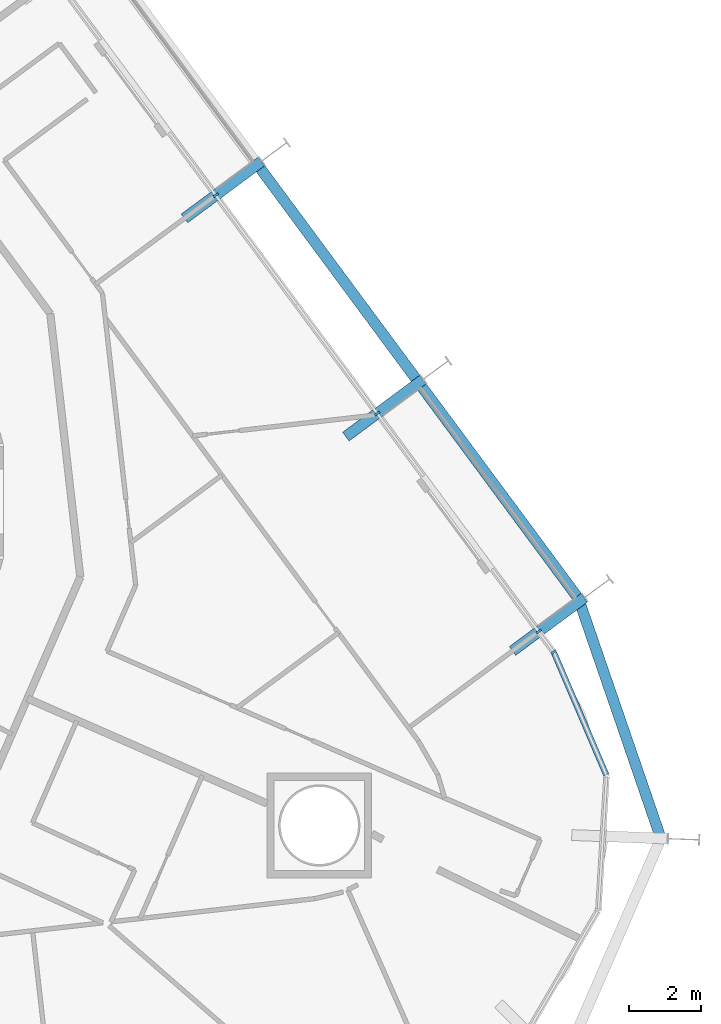
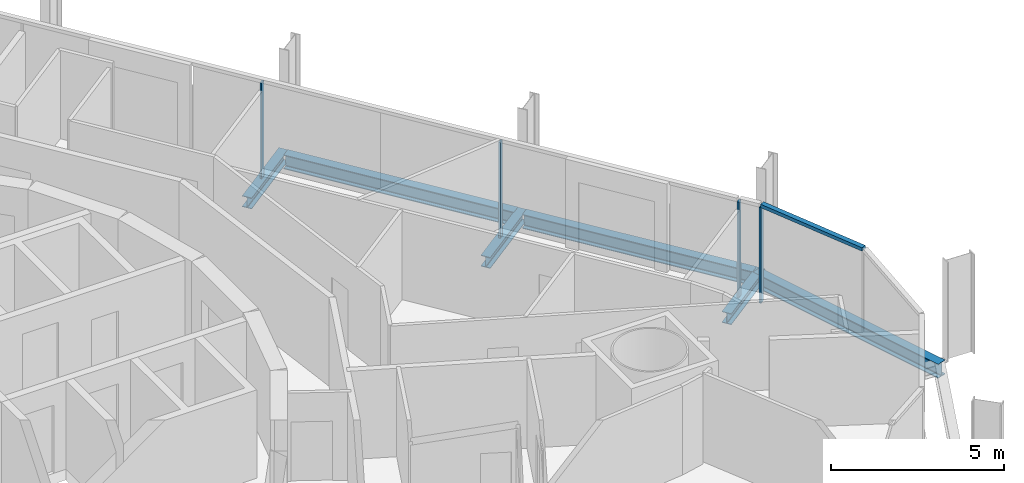
# One storey, part 8 of 22: 6 beams, 5 members, 2 elements without a shape of their own.
"""IFC4 building model written with IfcOpenShell, lengths in metres."""

from ifc_helpers import new_model, si_unit, direction, frame, origin, origin_2d, place, context, subcontext, project, spatial, rectangle, i_section, extrude, material, layer, layer_set, material_profile, profile_set, type_object, element, aggregate, save


model = new_model("IFC4")

# Units and contexts
model_context = context("Model", 3, precision=1e-05, world=origin(), true_north=direction((0.0, 1.0)))
body_context = subcontext(model_context, "Body", "Model", "MODEL_VIEW")
ifc_project = project(units=[si_unit("LENGTHUNIT", "METRE"), si_unit("AREAUNIT", "SQUARE_METRE"), si_unit("VOLUMEUNIT", "CUBIC_METRE"), si_unit("PLANEANGLEUNIT", "RADIAN"), si_unit("MASSUNIT", "GRAM", prefix="KILO")], contexts=[model_context])

# Site, building, storey
site_placement = place(None, origin())
site = spatial("IfcSite", under=ifc_project, at=site_placement, CompositionType="ELEMENT")
building_placement = place(site_placement, origin())
building = spatial("IfcBuilding", under=site, at=building_placement, Name="Spindle Arch Residences", CompositionType="ELEMENT")
storey_placement = place(building_placement, frame((0.0, 0.0, 80.199951171875)))
storey = spatial("IfcBuildingStorey", under=building, at=storey_placement, Name="L18", CompositionType="ELEMENT", Elevation=80.199951171875)

# Curtain wall, member
ifc_material_1 = material(Name="Aluminium bronze unitised frame with tinted glass", Category="aluminium")
ifc_layer_1 = layer(ifc_material_1, 0.159912109375)
ifc_layer_set_1 = layer_set([ifc_layer_1], Name="CW-D corner wall on the fillet arcs")
curtain_wall_type_1 = type_object("IfcCurtainWallType", Name="CW-D corner wall on the fillet arcs", PredefinedType="NOTDEFINED", material=ifc_layer_set_1)
curtain_wall_1_placement = place(storey_placement, origin())
curtain_wall_1 = element("IfcCurtainWall", 1, at=curtain_wall_1_placement, inside=storey, type_object=curtain_wall_type_1, Name="CW-D L18 run 1", PredefinedType="NOTDEFINED")
ifc_material_2 = material(Name="Aluminium bronze anodised mullion", Category="aluminium")
ifc_material_profile_1 = material_profile(ifc_material_2, rectangle(XDim=0.159912109375, YDim=0.06005859375, at=origin_2d()), Name="MU 60x160")
ifc_profile_set_1 = profile_set([ifc_material_profile_1], Name="Aluminium bronze anodised mullion")
member_type_1 = type_object("IfcMemberType", Name="Bronze mullion 60x160", PredefinedType="MULLION", material=ifc_profile_set_1)
member_1_placement = place(storey_placement, frame((27.142822265625, -4.171630859375, -0.3798828125), z_axis=(0.0, 0.0, 1.0), x_axis=(-0.803856860617, -0.594822786751, 0.0)))
member_1 = element("IfcMember", 2, at=member_1_placement, type_object=member_type_1, Name="CW-D mullion 05", PredefinedType="MULLION", context=body_context, shape_type="SweptSolid", body=[
    extrude(rectangle(XDim=0.159912109375, YDim=0.06005859375, at=origin_2d()), origin(), (0.0, 0.0, 1.0), 3.3798828125),
])

# Curtain wall, members
ifc_material_3 = material(Name="Aluminium bronze unitised frame with tinted glass", Category="aluminium")
ifc_layer_2 = layer(ifc_material_3, 0.159912109375)
ifc_layer_set_2 = layer_set([ifc_layer_2], Name="CW-C typical residential unitised wall")
curtain_wall_type_2 = type_object("IfcCurtainWallType", Name="CW-C typical residential unitised wall", PredefinedType="NOTDEFINED", material=ifc_layer_set_2)
curtain_wall_2_placement = place(storey_placement, origin())
curtain_wall_2 = element("IfcCurtainWall", 3, at=curtain_wall_2_placement, inside=storey, type_object=curtain_wall_type_2, Name="CW-C L18 run 2", PredefinedType="NOTDEFINED")
member_2_placement = place(storey_placement, frame((26.7255859375, -3.607666015625, -0.3798828125), z_axis=(0.0, 0.0, 1.0), x_axis=(-0.803856860617, -0.594822786751, 0.0)))
member_2 = element("IfcMember", 4, at=member_2_placement, type_object=member_type_1, Name="CW-C mullion 05", PredefinedType="MULLION", context=body_context, shape_type="SweptSolid", body=[
    extrude(rectangle(XDim=0.159912109375, YDim=0.06005859375, at=origin_2d()), origin(), (0.0, 0.0, 1.0), 3.3798828125),
])
member_3_placement = place(storey_placement, frame((22.253173828125, 2.436279296875, -0.3798828125), z_axis=(0.0, 0.0, 1.0), x_axis=(-0.803856860617, -0.594822786751, 0.0)))
member_3 = element("IfcMember", 5, at=member_3_placement, type_object=member_type_1, Name="CW-C mullion 06", PredefinedType="MULLION", context=body_context, shape_type="SweptSolid", body=[
    extrude(rectangle(XDim=0.159912109375, YDim=0.06005859375, at=origin_2d()), origin(), (0.0, 0.0, 1.0), 3.3798828125),
])
member_4_placement = place(storey_placement, frame((17.78076171875, 8.48046875, -0.3798828125), z_axis=(0.0, 0.0, 1.0), x_axis=(-0.803856860617, -0.594822786751, 0.0)))
member_4 = element("IfcMember", 6, at=member_4_placement, type_object=member_type_1, Name="CW-C mullion 07", PredefinedType="MULLION", context=body_context, shape_type="SweptSolid", body=[
    extrude(rectangle(XDim=0.159912109375, YDim=0.06005859375, at=origin_2d()), origin(), (0.0, 0.0, 1.0), 3.3798828125),
])
aggregate(curtain_wall_2, [member_2, member_3, member_4])

# Member
ifc_material_4 = material(Name="Aluminium bronze anodised transom", Category="aluminium")
ifc_material_profile_2 = material_profile(ifc_material_4, rectangle(XDim=0.159912109375, YDim=0.1201171875, at=origin_2d()), Name="TR 120x160")
ifc_profile_set_2 = profile_set([ifc_material_profile_2], Name="Aluminium bronze anodised transom")
member_type_2 = type_object("IfcMemberType", Name="Bronze transom 120x160", PredefinedType="USERDEFINED", material=ifc_profile_set_2)
member_5_placement = place(storey_placement, frame((28.59716796875, -7.5703125, 3.06005859375), z_axis=(-0.393429066236, 0.919354974882, 0.0), x_axis=(-0.919354974882, -0.393429066236, 0.0)))
member_5 = element("IfcMember", 7, at=member_5_placement, type_object=member_type_2, Name="CW-D transom 04", ObjectType="TRANSOM", PredefinedType="USERDEFINED", context=body_context, shape_type="SweptSolid", body=[
    extrude(rectangle(XDim=0.159912109375, YDim=0.1201171875, at=origin_2d()), origin(), (0.0, 0.0, 1.0), 3.666748046875),
])

aggregate(curtain_wall_1, [member_5, member_1])

# Beams
ifc_material_5 = material(Name="Steel S460ML, intumescent coating R 120", Category="steel")
ifc_material_profile_3 = material_profile(ifc_material_5, i_section(OverallWidth=0.300048828125, OverallDepth=0.5, WebThickness=0.014404296875, FlangeThickness=0.028076171875, FilletRadius=0.027099609375, at=origin_2d()), Name="HEB 500")
ifc_profile_set_3 = profile_set([ifc_material_profile_3], Name="Steel S460ML, intumescent coating R 120")
beam_type_1 = type_object("IfcBeamType", Name="Exoskeleton edge beam HEB 500", PredefinedType="BEAM", material=ifc_profile_set_3)
beam_1_placement = place(storey_placement, frame((30.13720703125, -9.4111328125, -0.6298828125), z_axis=(-0.325113431361, 0.94567502703, 0.0), x_axis=(-0.94567502703, -0.325113431361, 0.0)))
element("IfcBeam", 8, at=beam_1_placement, inside=storey, type_object=beam_type_1, Name="Exoskeleton edge beam 5", PredefinedType="BEAM", context=body_context, shape_type="SweptSolid", body=[
    extrude(i_section(OverallWidth=0.300048828125, OverallDepth=0.5, WebThickness=0.014404296875, FlangeThickness=0.028076171875, FilletRadius=0.027099609375, at=origin_2d()), origin(), (0.0, 0.0, 1.0), 7.09423828125),
])
for number, where, z_axis, x_axis, name in (
    (9, (27.800048828125, -2.65087890625, -0.6298828125), (-0.594821272041, 0.803857981441, 0.0), (-0.803857981441, -0.594821272041, 0.0), "Exoskeleton edge beam 6"),
    (10, (23.32763671875, 3.393310546875, -0.6298828125), (-0.594821272041, 0.803857981441, 0.0), (-0.803857981441, -0.594821272041, 0.0), "Exoskeleton edge beam 7"),
):
    element("IfcBeam", number, at=place(storey_placement, frame(where, z_axis=z_axis, x_axis=x_axis)), inside=storey, type_object=beam_type_1, Name=name, PredefinedType="BEAM", context=body_context, shape_type="SweptSolid", body=[
        extrude(i_section(OverallWidth=0.300048828125, OverallDepth=0.5, WebThickness=0.014404296875, FlangeThickness=0.028076171875, FilletRadius=0.027099609375, at=origin_2d()), origin(), (0.0, 0.0, 1.0), 7.2587890625),
    ])
ifc_material_6 = material(Name="Steel S460ML, intumescent coating R 120", Category="steel")
ifc_material_profile_4 = material_profile(ifc_material_6, i_section(OverallWidth=0.300048828125, OverallDepth=0.389892578125, WebThickness=0.010986328125, FlangeThickness=0.01904296875, FilletRadius=0.027099609375, at=origin_2d()), Name="HEA 400")
ifc_profile_set_4 = profile_set([ifc_material_profile_4], Name="Steel S460ML, intumescent coating R 120")
beam_type_2 = type_object("IfcBeamType", Name="Floor outrigger HEA 400", PredefinedType="BEAM", material=ifc_profile_set_4)
beam_2_placement = place(storey_placement, frame((27.987548828125, -2.673828125, -0.574951171875), z_axis=(-0.803824891941, -0.59486598751, 0.0), x_axis=(0.59486598751, -0.803824891941, 0.0)))
element("IfcBeam", 11, at=beam_2_placement, inside=storey, type_object=beam_type_2, Name="Floor outrigger 6", PredefinedType="BEAM", context=body_context, shape_type="SweptSolid", body=[
    extrude(i_section(OverallWidth=0.300048828125, OverallDepth=0.389892578125, WebThickness=0.010986328125, FlangeThickness=0.01904296875, FilletRadius=0.027099609375, at=origin_2d()), origin(), (0.0, 0.0, 1.0), 2.47119140625),
])
beam_3_placement = place(storey_placement, frame((23.51513671875, 3.3701171875, -0.574951171875), z_axis=(-0.803863925893, -0.59481323846, 0.0), x_axis=(0.59481323846, -0.803863925893, 0.0)))
element("IfcBeam", 12, at=beam_3_placement, inside=storey, type_object=beam_type_2, Name="Floor outrigger 7", PredefinedType="BEAM", context=body_context, shape_type="SweptSolid", body=[
    extrude(i_section(OverallWidth=0.300048828125, OverallDepth=0.389892578125, WebThickness=0.010986328125, FlangeThickness=0.01904296875, FilletRadius=0.027099609375, at=origin_2d()), origin(), (0.0, 0.0, 1.0), 2.64990234375),
])
beam_4_placement = place(storey_placement, frame((19.04296875, 9.414306640625, -0.574951171875), z_axis=(-0.80385247079, -0.594828719217, 0.0), x_axis=(0.594828719217, -0.80385247079, 0.0)))
element("IfcBeam", 13, at=beam_4_placement, inside=storey, type_object=beam_type_2, Name="Floor outrigger 8", PredefinedType="BEAM", context=body_context, shape_type="SweptSolid", body=[
    extrude(i_section(OverallWidth=0.300048828125, OverallDepth=0.389892578125, WebThickness=0.010986328125, FlangeThickness=0.01904296875, FilletRadius=0.027099609375, at=origin_2d()), origin(), (0.0, 0.0, 1.0), 2.650146484375),
])

save(model, "model.ifc")
